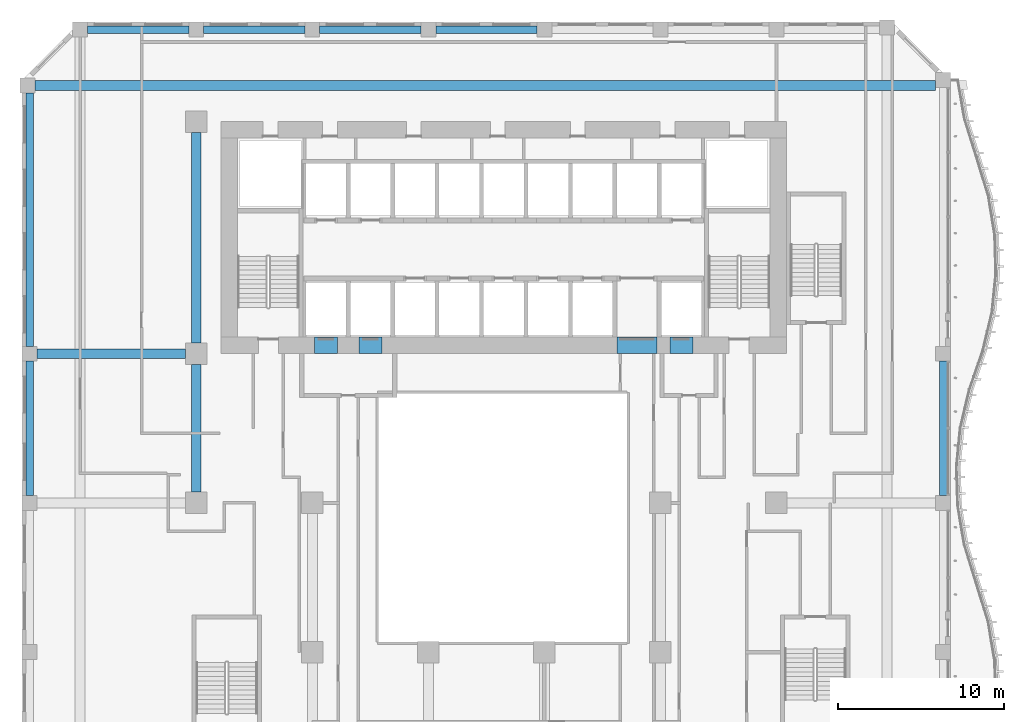
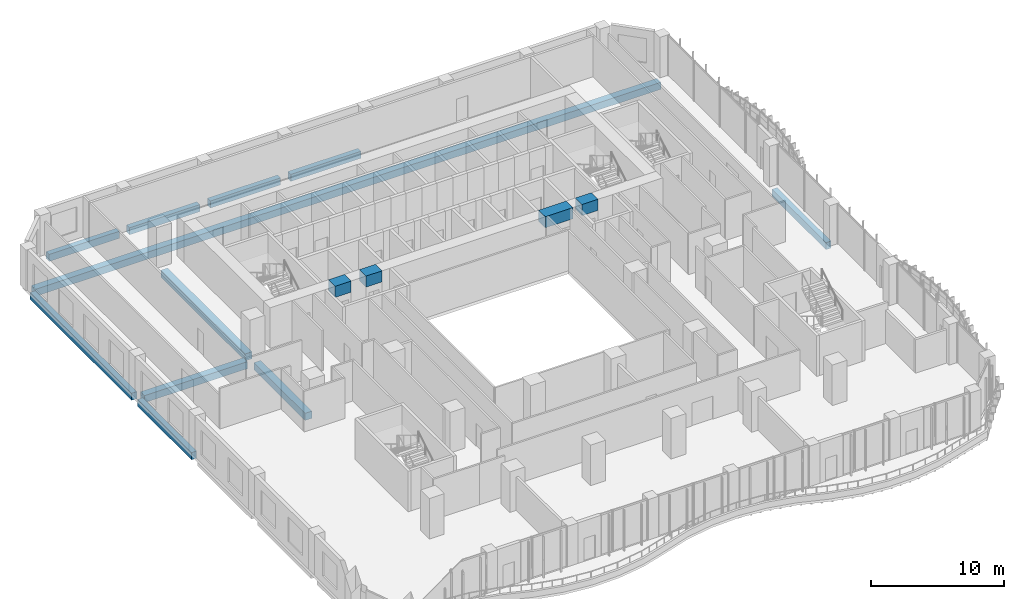
# One storey, part 7 of 25: 15 beams.
"""IFC4 building model written with IfcOpenShell, lengths in metres."""

from ifc_helpers import new_model, si_unit, direction, frame, origin, origin_2d, place, context, subcontext, project, spatial, rectangle, extrude, source, transform, mapped, material, material_profile, profile_set, type_object, element, save


model = new_model("IFC4")

# Units and contexts
model_context = context("Model", 3, precision=1e-05, world=origin(), true_north=direction((0.0, 1.0)))
body_context = subcontext(model_context, "Body", "Model", "MODEL_VIEW")
ifc_project = project(units=[si_unit("LENGTHUNIT", "METRE"), si_unit("AREAUNIT", "SQUARE_METRE"), si_unit("VOLUMEUNIT", "CUBIC_METRE"), si_unit("PLANEANGLEUNIT", "RADIAN"), si_unit("MASSUNIT", "GRAM", prefix="KILO")], contexts=[model_context])

# Site, building, storey
site_placement = place(None, origin())
site = spatial("IfcSite", under=ifc_project, at=site_placement, CompositionType="ELEMENT")
building_placement = place(site_placement, origin())
building = spatial("IfcBuilding", under=site, at=building_placement, Name="Kilnfold Tower and Market Hall", CompositionType="ELEMENT")
storey_placement = place(building_placement, frame((0.0, 0.0, 39.0)))
storey = spatial("IfcBuildingStorey", under=building, at=storey_placement, Name="L08", CompositionType="ELEMENT", Elevation=39.0)

# Beams
ifc_material_1 = material(Name="Concrete C45", Category="concrete")
ifc_material_profile_1 = material_profile(ifc_material_1, rectangle(XDim=0.449951171875, YDim=0.64990234375, at=origin_2d()), Name="RC 450x650")
ifc_profile_set_1 = profile_set([ifc_material_profile_1], Name="Concrete C45")
beam_type_1 = type_object("IfcBeamType", Name="EDGE BEAM 450X650 C45", PredefinedType="BEAM", material=ifc_profile_set_1)
shared_shape_1 = source(origin(), body_context, "Body", "SweptSolid", [
    extrude(rectangle(XDim=0.449951171875, YDim=0.64990234375, at=origin_2d()), origin(), (0.0, 0.0, 1.0), 6.10009765625),
])
for number, where, z_axis, x_axis, name in (
    (1, (-24.050048828125, 27.550048828125, -0.60498046875), (1.0, 0.0, 0.0), (0.0, 1.0, 0.0), "Beam EB650-B1.23"),
    (2, (-17.050048828125, 27.550048828125, -0.60498046875), (1.0, 0.0, 0.0), (0.0, 1.0, 0.0), "Beam EB650-B1.24"),
    (3, (-10.050048828125, 27.550048828125, -0.60498046875), (1.0, 0.0, 0.0), (0.0, 1.0, 0.0), "Beam EB650-B1.25"),
    (4, (-3.050048828125, 27.550048828125, -0.60498046875), (1.0, 0.0, 0.0), (0.0, 1.0, 0.0), "Beam EB650-B1.26"),
):
    element("IfcBeam", number, at=place(storey_placement, frame(where, z_axis=z_axis, x_axis=x_axis)), inside=storey, type_object=beam_type_1, Name=name, PredefinedType="BEAM", context=body_context, shape_type="MappedRepresentation", body=[
        mapped(shared_shape_1, transform((0.0, 0.0, 0.0))),
    ])
ifc_material_2 = material(Name="Concrete C45", Category="concrete")
ifc_material_profile_2 = material_profile(ifc_material_2, rectangle(XDim=0.60009765625, YDim=0.64990234375, at=origin_2d()), Name="RC 600x650")
ifc_profile_set_2 = profile_set([ifc_material_profile_2], Name="Concrete C45")
beam_type_2 = type_object("IfcBeamType", Name="BEAM 600X650 C45", PredefinedType="BEAM", material=ifc_profile_set_2)
shared_shape_2 = source(origin(), body_context, "Body", "SweptSolid", [
    extrude(rectangle(XDim=0.60009765625, YDim=0.64990234375, at=origin_2d()), origin(), (0.0, 0.0, 1.0), 8.9501953125),
])
beam_1_placement = place(storey_placement, frame((-27.10009765625, 8.0, -0.60498046875), z_axis=(1.0, 0.0, 0.0), x_axis=(0.0, 1.0, 0.0)))
element("IfcBeam", 5, at=beam_1_placement, inside=storey, type_object=beam_type_2, Name="Beam BB650-B1.21", PredefinedType="BEAM", context=body_context, shape_type="MappedRepresentation", body=[
    mapped(shared_shape_2, transform((0.0, 0.0, 0.0))),
])
shared_shape_3 = source(origin(), body_context, "Body", "SweptSolid", [
    extrude(rectangle(XDim=0.60009765625, YDim=0.64990234375, at=origin_2d()), origin(), (0.0, 0.0, 1.0), 54.331787109375),
])
beam_2_placement = place(storey_placement, frame((-27.231689453125, 24.179931640625, -0.60498046875), z_axis=(1.0, 0.0, 0.0), x_axis=(0.0, 1.0, 0.0)))
element("IfcBeam", 6, at=beam_2_placement, inside=storey, type_object=beam_type_2, Name="Beam BB650-B1.22", PredefinedType="BEAM", context=body_context, shape_type="MappedRepresentation", body=[
    mapped(shared_shape_3, transform((0.0, 0.0, 0.0))),
])
shared_shape_4 = source(origin(), body_context, "Body", "SweptSolid", [
    extrude(rectangle(XDim=0.449951171875, YDim=0.64990234375, at=origin_2d()), origin(), (0.0, 0.0, 1.0), 8.10009765625),
])
for number, where, z_axis, x_axis, name in (
    (7, (-27.550048828125, -0.550048828125, -0.60498046875), (0.0, 1.0, 0.0), (-1.0, 0.0, 0.0), "Beam EB650-B1.33"),
    (8, (27.550048828125, -0.550048828125, -0.60498046875), (0.0, 1.0, 0.0), (-1.0, 0.0, 0.0), "Beam EB650-B1.53"),
):
    element("IfcBeam", number, at=place(storey_placement, frame(where, z_axis=z_axis, x_axis=x_axis)), inside=storey, type_object=beam_type_1, Name=name, PredefinedType="BEAM", context=body_context, shape_type="MappedRepresentation", body=[
        mapped(shared_shape_4, transform((0.0, 0.0, 0.0))),
    ])
shared_shape_5 = source(origin(), body_context, "Body", "SweptSolid", [
    extrude(rectangle(XDim=0.449951171875, YDim=0.64990234375, at=origin_2d()), origin(), (0.0, 0.0, 1.0), 15.28173828125),
])
beam_3_placement = place(storey_placement, frame((-27.550048828125, 8.449951171875, -0.60498046875), z_axis=(0.0, 1.0, 0.0), x_axis=(-1.0, 0.0, 0.0)))
element("IfcBeam", 9, at=beam_3_placement, inside=storey, type_object=beam_type_1, Name="Beam EB650-B1.34", PredefinedType="BEAM", context=body_context, shape_type="MappedRepresentation", body=[
    mapped(shared_shape_5, transform((0.0, 0.0, 0.0))),
])
shared_shape_6 = source(origin(), body_context, "Body", "SweptSolid", [
    extrude(rectangle(XDim=0.60009765625, YDim=0.64990234375, at=origin_2d()), origin(), (0.0, 0.0, 1.0), 7.7001953125),
])
beam_4_placement = place(storey_placement, frame((-17.5, -0.35009765625, -0.60498046875), z_axis=(0.0, 1.0, 0.0), x_axis=(-1.0, 0.0, 0.0)))
element("IfcBeam", 10, at=beam_4_placement, inside=storey, type_object=beam_type_2, Name="Beam BB650-B1.37", PredefinedType="BEAM", context=body_context, shape_type="MappedRepresentation", body=[
    mapped(shared_shape_6, transform((0.0, 0.0, 0.0))),
])
shared_shape_7 = source(origin(), body_context, "Body", "SweptSolid", [
    extrude(rectangle(XDim=0.60009765625, YDim=0.64990234375, at=origin_2d()), origin(), (0.0, 0.0, 1.0), 12.7001953125),
])
beam_5_placement = place(storey_placement, frame((-17.5, 8.64990234375, -0.60498046875), z_axis=(0.0, 1.0, 0.0), x_axis=(-1.0, 0.0, 0.0)))
element("IfcBeam", 11, at=beam_5_placement, inside=storey, type_object=beam_type_2, Name="Beam BB650-B1.38", PredefinedType="BEAM", context=body_context, shape_type="MappedRepresentation", body=[
    mapped(shared_shape_7, transform((0.0, 0.0, 0.0))),
])
ifc_material_3 = material(Name="Concrete C80", Category="concrete")
ifc_material_profile_3 = material_profile(ifc_material_3, rectangle(XDim=1.0, YDim=1.02001953125, at=origin_2d()), Name="RC 1000x1020")
ifc_profile_set_3 = profile_set([ifc_material_profile_3], Name="Concrete C80")
beam_type_3 = type_object("IfcBeamType", Name="COUPLING BEAM 1000X1020 C80", PredefinedType="BEAM", material=ifc_profile_set_3)
shared_shape_8 = source(origin(), body_context, "Body", "SweptSolid", [
    extrude(rectangle(XDim=1.0, YDim=1.02001953125, at=origin_2d()), origin(), (0.0, 0.0, 1.0), 1.400146484375),
])
beam_6_placement = place(storey_placement, frame((-10.3701171875, 8.5, 3.2099609375), z_axis=(1.0, 0.0, 0.0), x_axis=(0.0, 1.0, 0.0)))
element("IfcBeam", 12, at=beam_6_placement, inside=storey, type_object=beam_type_3, Name="Coupling beam CB1020-80-CORE.42", PredefinedType="BEAM", context=body_context, shape_type="MappedRepresentation", body=[
    mapped(shared_shape_8, transform((0.0, 0.0, 0.0))),
])
shared_shape_9 = source(origin(), body_context, "Body", "SweptSolid", [
    extrude(rectangle(XDim=1.0, YDim=1.02001953125, at=origin_2d()), origin(), (0.0, 0.0, 1.0), 1.39990234375),
])
for number, where, z_axis, x_axis, name in (
    (13, (-7.68994140625, 8.5, 3.2099609375), (1.0, 0.0, 0.0), (0.0, 1.0, 0.0), "Coupling beam CB1020-80-CORE.43"),
    (14, (11.070068359375, 8.5, 3.2099609375), (1.0, 0.0, 0.0), (0.0, 1.0, 0.0), "Coupling beam CB1020-80-CORE.45"),
):
    element("IfcBeam", number, at=place(storey_placement, frame(where, z_axis=z_axis, x_axis=x_axis)), inside=storey, type_object=beam_type_3, Name=name, PredefinedType="BEAM", context=body_context, shape_type="MappedRepresentation", body=[
        mapped(shared_shape_9, transform((0.0, 0.0, 0.0))),
    ])
shared_shape_10 = source(origin(), body_context, "Body", "SweptSolid", [
    extrude(rectangle(XDim=1.0, YDim=1.02001953125, at=origin_2d()), origin(), (0.0, 0.0, 1.0), 2.400146484375),
])
beam_7_placement = place(storey_placement, frame((7.889892578125, 8.5, 3.2099609375), z_axis=(1.0, 0.0, 0.0), x_axis=(0.0, 1.0, 0.0)))
element("IfcBeam", 15, at=beam_7_placement, inside=storey, type_object=beam_type_3, Name="Coupling beam CB1020-80-CORE.44", PredefinedType="BEAM", context=body_context, shape_type="MappedRepresentation", body=[
    mapped(shared_shape_10, transform((0.0, 0.0, 0.0))),
])

save(model, "model.ifc")
